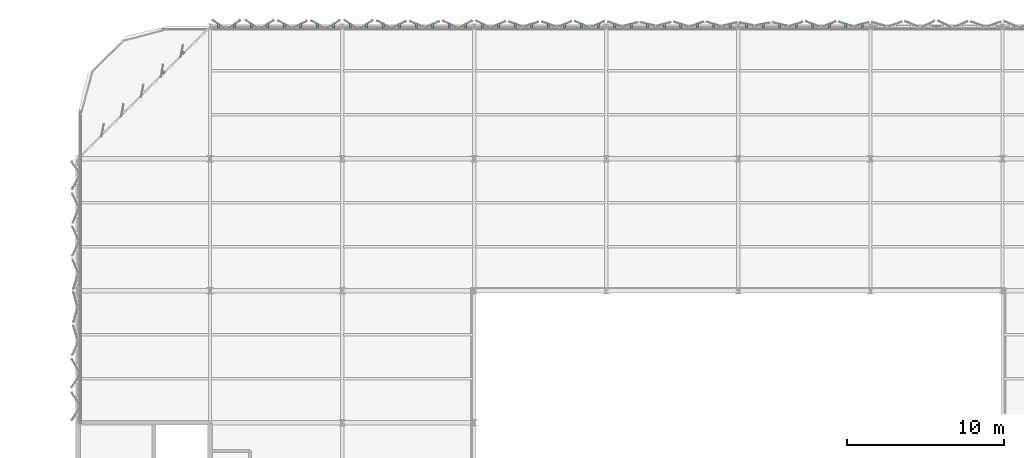
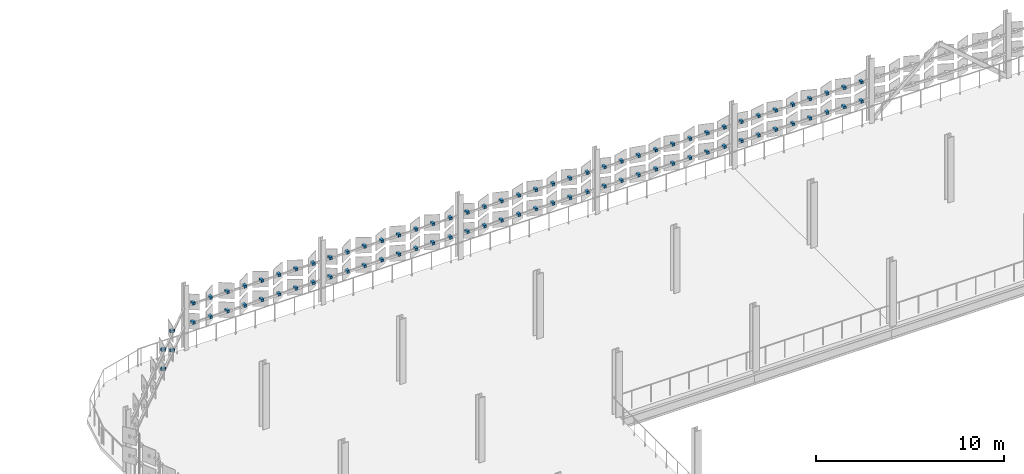
# One storey, part 149 of 163: 84 discrete accessories.
"""IFC4 building model written with IfcOpenShell, lengths in metres."""

import ifcopenshell
import ifcopenshell.guid

model = None  # the IFC model being written
_history = None  # IfcOwnerHistory: only IFC2X3 demands one
_inside = {}  # id of a spatial element -> (the spatial element, [elements in it])
_under = {}  # id of a project, library or spatial element -> (it, [spatial elements below it])
_declared = {}  # id of a project -> (the project, [libraries it declares])
_typed = {}  # id of a type object -> (the type object, [elements of that type])
_made_of = {}  # id of a material, layer set ... -> (it, [elements and type objects made of it])


def new_model(schema):
    """Start an empty IFC model of exactly this schema.

    Asked for "IFC4X3", IfcOpenShell would pick the latest addendum, in which some entities
    have other attributes; the version numbers below select the first issue.
    IFC2X3 requires an IfcOwnerHistory on every rooted entity: one is made here for all.
    """
    global model, _history
    if schema == "IFC4X3":
        model = ifcopenshell.file(schema_version=(4, 3, 0, 0))
    else:
        model = ifcopenshell.file(schema=schema)
    _inside.clear()
    _under.clear()
    _declared.clear()
    _typed.clear()
    _made_of.clear()
    _history = None
    if model.schema == "IFC2X3":
        org = make("IfcOrganization", Name="unknown")
        user = make(
            "IfcPersonAndOrganization",
            ThePerson=make("IfcPerson", FamilyName="unknown"),
            TheOrganization=org,
        )
        app = make(
            "IfcApplication",
            ApplicationDeveloper=org,
            Version="unknown",
            ApplicationFullName="unknown",
            ApplicationIdentifier="unknown",
        )
        _history = make(
            "IfcOwnerHistory",
            OwningUser=user,
            OwningApplication=app,
            ChangeAction="ADDED",
            CreationDate=0,
        )
    return model


def make(cls, **values):
    """One entity of the class cls with the attributes given. An attribute that is None is left unset."""
    return model.create_entity(
        cls, **{name: value for name, value in values.items() if value is not None}
    )


def rooted(cls, **values):
    """An entity with a GlobalId (a new one), such as an element, a storey or a relation."""
    return make(cls, GlobalId=ifcopenshell.guid.new(), OwnerHistory=_history, **values)


def si_unit(unit_type, name, prefix=None):
    """IfcSIUnit, for example si_unit("LENGTHUNIT", "METRE", prefix="MILLI")."""
    return make("IfcSIUnit", UnitType=unit_type, Prefix=prefix, Name=name)


def assignment(units):
    """IfcUnitAssignment: the units of a project."""
    return None if units is None else make("IfcUnitAssignment", Units=units)


def point(xyz):
    """IfcCartesianPoint."""
    return None if xyz is None else make("IfcCartesianPoint", Coordinates=xyz)


def direction(xyz):
    """IfcDirection."""
    return None if xyz is None else make("IfcDirection", DirectionRatios=xyz)


def frame(location, z_axis=None, x_axis=None):
    """IfcAxis2Placement3D, a coordinate frame: its origin and axes. An axis left out is left unset."""
    return make(
        "IfcAxis2Placement3D",
        Location=point(location),
        Axis=direction(z_axis),
        RefDirection=direction(x_axis),
    )


def frame_2d(location, x_axis=None):
    """IfcAxis2Placement2D, a coordinate frame in the plane: its origin and x axis."""
    return make(
        "IfcAxis2Placement2D", Location=point(location), RefDirection=direction(x_axis)
    )


def origin():
    """The frame at (0, 0, 0) with its axes left unset."""
    return frame((0.0, 0.0, 0.0))


def origin_2d():
    """The frame at (0, 0) in the plane with its x axis left unset."""
    return frame_2d((0.0, 0.0))


def place(relative_to, where):
    """IfcLocalPlacement: puts the frame where relative to a parent placement (None: the world)."""
    return make(
        "IfcLocalPlacement", PlacementRelTo=relative_to, RelativePlacement=where
    )


def context(
    kind, dimensions, precision=None, world=None, true_north=None, identifier=None
):
    """IfcGeometricRepresentationContext, for example the 3D "Model" context."""
    return make(
        "IfcGeometricRepresentationContext",
        ContextIdentifier=identifier,
        ContextType=kind,
        CoordinateSpaceDimension=dimensions,
        Precision=precision,
        WorldCoordinateSystem=world,
        TrueNorth=true_north,
    )


def subcontext(parent, identifier, kind, view, scale=None):
    """IfcGeometricRepresentationSubContext, for example "Body" below "Model"."""
    return make(
        "IfcGeometricRepresentationSubContext",
        ContextIdentifier=identifier,
        ContextType=kind,
        ParentContext=parent,
        TargetScale=scale,
        TargetView=view,
    )


def project(units=None, contexts=None):
    """IfcProject with its units and contexts."""
    return rooted(
        "IfcProject",
        Name="project",
        RepresentationContexts=contexts,
        UnitsInContext=assignment(units),
    )


def spatial(cls, under=None, at=None, **own):
    """A site, building, storey or space (cls), placed at a placement, below another one or the project."""
    s = rooted(cls, ObjectPlacement=at, **own)
    if under is not None:
        _under.setdefault(under.id(), (under, []))[1].append(s)
    return s


def profile(cls, at=None, kind="AREA", **sizes):
    """A parametric profile (cls). Its sizes go by their IFC names, for example OverallWidth=200.0."""
    return make(cls, ProfileType=kind, Position=at, **sizes)


def rectangle(**sizes):
    """IfcRectangleProfileDef."""
    return profile("IfcRectangleProfileDef", **sizes)


def extrude(swept, where, along, depth):
    """IfcExtrudedAreaSolid: the profile swept, set in the frame where, extruded along a direction by depth."""
    return make(
        "IfcExtrudedAreaSolid",
        SweptArea=swept,
        Position=where,
        ExtrudedDirection=direction(along),
        Depth=depth,
    )


def shape(context_of_items, identifier, shape_type, items):
    """IfcShapeRepresentation: the items that make up one representation, for example the "Body"."""
    return make(
        "IfcShapeRepresentation",
        ContextOfItems=context_of_items,
        RepresentationIdentifier=identifier,
        RepresentationType=shape_type,
        Items=items,
    )


def material(Name=None, Category=None):
    """IfcMaterial."""
    return make("IfcMaterial", Name=Name, Category=Category)


def made_of(thing, what):
    """Note that an element or type object is made of a material, layer set ...; save() writes the relation."""
    if what is not None:
        _made_of.setdefault(what.id(), (what, []))[1].append(thing)
    return thing


def type_object(cls, material=None, **own):
    """A type object (cls), such as IfcWallType, which elements share."""
    return made_of(rooted(cls, **own), material)


def element(
    cls,
    number,
    at=None,
    inside=None,
    cuts=None,
    type_object=None,
    material=None,
    context=None,
    identifier="Body",
    shape_type=None,
    held_by="IfcProductDefinitionShape",
    body=None,
    shapes=None,
    **own,
):
    """One element of the class cls, such as IfcWall. Its Tag is "e" and its number.

    at: its placement. inside: the storey or other place that contains it. cuts: it is an
    opening in that element (IfcRelVoidsElement). A single representation is given by context,
    identifier, shape_type and body (its items); several are given by shapes. held_by: the class
    of the entity that holds the representations. save() writes the other relations.
    """
    e = rooted(cls, Tag="e%d" % number, ObjectPlacement=at, **own)
    if body is not None:
        shapes = [shape(context, identifier, shape_type, body)]
    if shapes is not None:
        e.Representation = make(held_by, Representations=shapes)
    if inside is not None:
        _inside.setdefault(inside.id(), (inside, []))[1].append(e)
    if cuts is not None:
        rooted(
            "IfcRelVoidsElement", RelatingBuildingElement=cuts, RelatedOpeningElement=e
        )
    if type_object is not None:
        _typed.setdefault(type_object.id(), (type_object, []))[1].append(e)
    return made_of(e, material)


def aggregate(whole, parts):
    """IfcRelAggregates: a whole, such as a stair, and the parts it consists of."""
    return rooted("IfcRelAggregates", RelatingObject=whole, RelatedObjects=parts)


def save(model, path):
    """Write the relations noted so far, then the file.

    IfcRelAggregates (storeys below a building ...), IfcRelContainedInSpatialStructure (elements
    in a storey), IfcRelDefinesByType, IfcRelAssociatesMaterial and IfcRelDeclares: one each for
    every whole, place, type object, material and project.
    """
    for whole, parts in _under.values():
        aggregate(whole, parts)
    for where, things in _inside.values():
        rooted(
            "IfcRelContainedInSpatialStructure",
            RelatedElements=things,
            RelatingStructure=where,
        )
    for kind, things in _typed.values():
        rooted("IfcRelDefinesByType", RelatedObjects=things, RelatingType=kind)
    for what, things in _made_of.values():
        rooted("IfcRelAssociatesMaterial", RelatedObjects=things, RelatingMaterial=what)
    for by, libraries in _declared.values():
        rooted("IfcRelDeclares", RelatingContext=by, RelatedDefinitions=libraries)
    model.write(path)


model = new_model("IFC4")

# Units and contexts
model_context = context("Model", 3, precision=1e-05, world=origin(), true_north=direction((0.0, 1.0)))
body_context = subcontext(model_context, "Body", "Model", "MODEL_VIEW")
ifc_project = project(units=[si_unit("LENGTHUNIT", "METRE"), si_unit("AREAUNIT", "SQUARE_METRE"), si_unit("VOLUMEUNIT", "CUBIC_METRE"), si_unit("PLANEANGLEUNIT", "RADIAN"), si_unit("MASSUNIT", "GRAM", prefix="KILO")], contexts=[model_context])

# Site, building, storey
site_placement = place(None, origin())
site = spatial("IfcSite", under=ifc_project, at=site_placement, CompositionType="ELEMENT")
building_placement = place(site_placement, origin())
building = spatial("IfcBuilding", under=site, at=building_placement, Name="Qalvenar Corner Mobility Hub", CompositionType="ELEMENT")
storey_placement = place(building_placement, frame((0.0, 0.0, 4.800048828125)))
storey = spatial("IfcBuildingStorey", under=building, at=storey_placement, Name="L01", CompositionType="ELEMENT", Elevation=4.800048828125)

# Discrete accessories
ifc_material = material(Name="Steel S355", Category="steel")
discrete_accessory_type = type_object("IfcDiscreteAccessoryType", Name="ACC-HINGE-BRK", PredefinedType="BRACKET", material=ifc_material)
for number, where, z_axis, x_axis, name in (
    (1, (108.675048828125, 117.679931640625, 1.419921875), (0.0, 0.0, 1.0), (-1.0, 0.0, 0.0), "Panel Hinge Bracket BK-L01-0177"),
    (2, (108.675048828125, 117.679931640625, 2.669921875), (0.0, 0.0, 1.0), (-1.0, 0.0, 0.0), "Panel Hinge Bracket BK-L01-0178"),
    (3, (107.625, 117.679931640625, 1.419921875), (0.0, 0.0, 1.0), (-1.0, 0.0, 0.0), "Panel Hinge Bracket BK-L01-0179"),
    (4, (107.625, 117.679931640625, 2.669921875), (0.0, 0.0, 1.0), (-1.0, 0.0, 0.0), "Panel Hinge Bracket BK-L01-0180"),
    (5, (106.574951171875, 117.679931640625, 1.419921875), (0.0, 0.0, 1.0), (-1.0, 0.0, 0.0), "Panel Hinge Bracket BK-L01-0181"),
    (6, (106.574951171875, 117.679931640625, 2.669921875), (0.0, 0.0, 1.0), (-1.0, 0.0, 0.0), "Panel Hinge Bracket BK-L01-0182"),
    (7, (105.52490234375, 117.679931640625, 1.419921875), (0.0, 0.0, 1.0), (-1.0, 0.0, 0.0), "Panel Hinge Bracket BK-L01-0183"),
    (8, (105.52490234375, 117.679931640625, 2.669921875), (0.0, 0.0, 1.0), (-1.0, 0.0, 0.0), "Panel Hinge Bracket BK-L01-0184"),
    (9, (104.47509765625, 117.679931640625, 1.419921875), (0.0, 0.0, 1.0), (-1.0, 0.0, 0.0), "Panel Hinge Bracket BK-L01-0185"),
    (10, (104.47509765625, 117.679931640625, 2.669921875), (0.0, 0.0, 1.0), (-1.0, 0.0, 0.0), "Panel Hinge Bracket BK-L01-0186"),
    (11, (103.425048828125, 117.679931640625, 1.419921875), (0.0, 0.0, 1.0), (-1.0, 0.0, 0.0), "Panel Hinge Bracket BK-L01-0187"),
    (12, (103.425048828125, 117.679931640625, 2.669921875), (0.0, 0.0, 1.0), (-1.0, 0.0, 0.0), "Panel Hinge Bracket BK-L01-0188"),
    (13, (102.375, 117.679931640625, 1.419921875), (0.0, 0.0, 1.0), (-1.0, 0.0, 0.0), "Panel Hinge Bracket BK-L01-0189"),
    (14, (102.375, 117.679931640625, 2.669921875), (0.0, 0.0, 1.0), (-1.0, 0.0, 0.0), "Panel Hinge Bracket BK-L01-0190"),
    (15, (101.324951171875, 117.679931640625, 1.419921875), (0.0, 0.0, 1.0), (-1.0, 0.0, 0.0), "Panel Hinge Bracket BK-L01-0191"),
    (16, (101.324951171875, 117.679931640625, 2.669921875), (0.0, 0.0, 1.0), (-1.0, 0.0, 0.0), "Panel Hinge Bracket BK-L01-0192"),
    (17, (100.27490234375, 117.679931640625, 1.419921875), (0.0, 0.0, 1.0), (-1.0, 0.0, 0.0), "Panel Hinge Bracket BK-L01-0193"),
    (18, (100.27490234375, 117.679931640625, 2.669921875), (0.0, 0.0, 1.0), (-1.0, 0.0, 0.0), "Panel Hinge Bracket BK-L01-0194"),
    (19, (99.22509765625, 117.679931640625, 1.419921875), (0.0, 0.0, 1.0), (-1.0, 0.0, 0.0), "Panel Hinge Bracket BK-L01-0195"),
    (20, (99.22509765625, 117.679931640625, 2.669921875), (0.0, 0.0, 1.0), (-1.0, 0.0, 0.0), "Panel Hinge Bracket BK-L01-0196"),
    (21, (98.175048828125, 117.679931640625, 1.419921875), (0.0, 0.0, 1.0), (-1.0, 0.0, 0.0), "Panel Hinge Bracket BK-L01-0197"),
    (22, (98.175048828125, 117.679931640625, 2.669921875), (0.0, 0.0, 1.0), (-1.0, 0.0, 0.0), "Panel Hinge Bracket BK-L01-0198"),
    (23, (97.125, 117.679931640625, 1.419921875), (0.0, 0.0, 1.0), (-1.0, 0.0, 0.0), "Panel Hinge Bracket BK-L01-0199"),
    (24, (97.125, 117.679931640625, 2.669921875), (0.0, 0.0, 1.0), (-1.0, 0.0, 0.0), "Panel Hinge Bracket BK-L01-0200"),
    (25, (96.074951171875, 117.679931640625, 1.419921875), (0.0, 0.0, 1.0), (-1.0, 0.0, 0.0), "Panel Hinge Bracket BK-L01-0201"),
    (26, (96.074951171875, 117.679931640625, 2.669921875), (0.0, 0.0, 1.0), (-1.0, 0.0, 0.0), "Panel Hinge Bracket BK-L01-0202"),
    (27, (95.02490234375, 117.679931640625, 1.419921875), (0.0, 0.0, 1.0), (-1.0, 0.0, 0.0), "Panel Hinge Bracket BK-L01-0203"),
    (28, (95.02490234375, 117.679931640625, 2.669921875), (0.0, 0.0, 1.0), (-1.0, 0.0, 0.0), "Panel Hinge Bracket BK-L01-0204"),
    (29, (93.97509765625, 117.679931640625, 1.419921875), (0.0, 0.0, 1.0), (-1.0, 0.0, 0.0), "Panel Hinge Bracket BK-L01-0205"),
    (30, (93.97509765625, 117.679931640625, 2.669921875), (0.0, 0.0, 1.0), (-1.0, 0.0, 0.0), "Panel Hinge Bracket BK-L01-0206"),
    (31, (92.925048828125, 117.679931640625, 1.419921875), (0.0, 0.0, 1.0), (-1.0, 0.0, 0.0), "Panel Hinge Bracket BK-L01-0207"),
    (32, (92.925048828125, 117.679931640625, 2.669921875), (0.0, 0.0, 1.0), (-1.0, 0.0, 0.0), "Panel Hinge Bracket BK-L01-0208"),
    (33, (91.875, 117.679931640625, 1.419921875), (0.0, 0.0, 1.0), (-1.0, 0.0, 0.0), "Panel Hinge Bracket BK-L01-0209"),
    (34, (91.875, 117.679931640625, 2.669921875), (0.0, 0.0, 1.0), (-1.0, 0.0, 0.0), "Panel Hinge Bracket BK-L01-0210"),
    (35, (90.824951171875, 117.679931640625, 1.419921875), (0.0, 0.0, 1.0), (-1.0, 0.0, 0.0), "Panel Hinge Bracket BK-L01-0211"),
    (36, (90.824951171875, 117.679931640625, 2.669921875), (0.0, 0.0, 1.0), (-1.0, 0.0, 0.0), "Panel Hinge Bracket BK-L01-0212"),
    (37, (89.77490234375, 117.679931640625, 1.419921875), (0.0, 0.0, 1.0), (-1.0, 0.0, 0.0), "Panel Hinge Bracket BK-L01-0213"),
    (38, (89.77490234375, 117.679931640625, 2.669921875), (0.0, 0.0, 1.0), (-1.0, 0.0, 0.0), "Panel Hinge Bracket BK-L01-0214"),
    (39, (88.72509765625, 117.679931640625, 1.419921875), (0.0, 0.0, 1.0), (-1.0, 0.0, 0.0), "Panel Hinge Bracket BK-L01-0215"),
    (40, (88.72509765625, 117.679931640625, 2.669921875), (0.0, 0.0, 1.0), (-1.0, 0.0, 0.0), "Panel Hinge Bracket BK-L01-0216"),
    (41, (87.675048828125, 117.679931640625, 1.419921875), (0.0, 0.0, 1.0), (-1.0, 0.0, 0.0), "Panel Hinge Bracket BK-L01-0217"),
    (42, (87.675048828125, 117.679931640625, 2.669921875), (0.0, 0.0, 1.0), (-1.0, 0.0, 0.0), "Panel Hinge Bracket BK-L01-0218"),
    (43, (86.625, 117.679931640625, 1.419921875), (0.0, 0.0, 1.0), (-1.0, 0.0, 0.0), "Panel Hinge Bracket BK-L01-0219"),
    (44, (86.625, 117.679931640625, 2.669921875), (0.0, 0.0, 1.0), (-1.0, 0.0, 0.0), "Panel Hinge Bracket BK-L01-0220"),
    (45, (85.574951171875, 117.679931640625, 1.419921875), (0.0, 0.0, 1.0), (-1.0, 0.0, 0.0), "Panel Hinge Bracket BK-L01-0221"),
    (46, (85.574951171875, 117.679931640625, 2.669921875), (0.0, 0.0, 1.0), (-1.0, 0.0, 0.0), "Panel Hinge Bracket BK-L01-0222"),
    (47, (84.52490234375, 117.679931640625, 1.419921875), (0.0, 0.0, 1.0), (-1.0, 0.0, 0.0), "Panel Hinge Bracket BK-L01-0223"),
    (48, (84.52490234375, 117.679931640625, 2.669921875), (0.0, 0.0, 1.0), (-1.0, 0.0, 0.0), "Panel Hinge Bracket BK-L01-0224"),
    (49, (83.47509765625, 117.679931640625, 1.419921875), (0.0, 0.0, 1.0), (-1.0, 0.0, 0.0), "Panel Hinge Bracket BK-L01-0225"),
    (50, (83.47509765625, 117.679931640625, 2.669921875), (0.0, 0.0, 1.0), (-1.0, 0.0, 0.0), "Panel Hinge Bracket BK-L01-0226"),
    (51, (82.425048828125, 117.679931640625, 1.419921875), (0.0, 0.0, 1.0), (-1.0, 0.0, 0.0), "Panel Hinge Bracket BK-L01-0227"),
    (52, (82.425048828125, 117.679931640625, 2.669921875), (0.0, 0.0, 1.0), (-1.0, 0.0, 0.0), "Panel Hinge Bracket BK-L01-0228"),
    (53, (81.375, 117.679931640625, 1.419921875), (0.0, 0.0, 1.0), (-1.0, 0.0, 0.0), "Panel Hinge Bracket BK-L01-0229"),
    (54, (81.375, 117.679931640625, 2.669921875), (0.0, 0.0, 1.0), (-1.0, 0.0, 0.0), "Panel Hinge Bracket BK-L01-0230"),
    (55, (80.324951171875, 117.679931640625, 1.419921875), (0.0, 0.0, 1.0), (-1.0, 0.0, 0.0), "Panel Hinge Bracket BK-L01-0231"),
    (56, (80.324951171875, 117.679931640625, 2.669921875), (0.0, 0.0, 1.0), (-1.0, 0.0, 0.0), "Panel Hinge Bracket BK-L01-0232"),
    (57, (79.27490234375, 117.679931640625, 1.419921875), (0.0, 0.0, 1.0), (-1.0, 0.0, 0.0), "Panel Hinge Bracket BK-L01-0233"),
    (58, (79.27490234375, 117.679931640625, 2.669921875), (0.0, 0.0, 1.0), (-1.0, 0.0, 0.0), "Panel Hinge Bracket BK-L01-0234"),
    (59, (78.22509765625, 117.679931640625, 1.419921875), (0.0, 0.0, 1.0), (-1.0, 0.0, 0.0), "Panel Hinge Bracket BK-L01-0235"),
    (60, (78.22509765625, 117.679931640625, 2.669921875), (0.0, 0.0, 1.0), (-1.0, 0.0, 0.0), "Panel Hinge Bracket BK-L01-0236"),
    (61, (77.175048828125, 117.679931640625, 1.419921875), (0.0, 0.0, 1.0), (-1.0, 0.0, 0.0), "Panel Hinge Bracket BK-L01-0237"),
    (62, (77.175048828125, 117.679931640625, 2.669921875), (0.0, 0.0, 1.0), (-1.0, 0.0, 0.0), "Panel Hinge Bracket BK-L01-0238"),
    (63, (76.125, 117.679931640625, 1.419921875), (0.0, 0.0, 1.0), (-1.0, 0.0, 0.0), "Panel Hinge Bracket BK-L01-0239"),
    (64, (76.125, 117.679931640625, 2.669921875), (0.0, 0.0, 1.0), (-1.0, 0.0, 0.0), "Panel Hinge Bracket BK-L01-0240"),
    (65, (75.074951171875, 117.679931640625, 1.419921875), (0.0, 0.0, 1.0), (-1.0, 0.0, 0.0), "Panel Hinge Bracket BK-L01-0241"),
    (66, (75.074951171875, 117.679931640625, 2.669921875), (0.0, 0.0, 1.0), (-1.0, 0.0, 0.0), "Panel Hinge Bracket BK-L01-0242"),
    (67, (74.02490234375, 117.679931640625, 1.419921875), (0.0, 0.0, 1.0), (-1.0, 0.0, 0.0), "Panel Hinge Bracket BK-L01-0243"),
    (68, (74.02490234375, 117.679931640625, 2.669921875), (0.0, 0.0, 1.0), (-1.0, 0.0, 0.0), "Panel Hinge Bracket BK-L01-0244"),
    (69, (72.97509765625, 117.679931640625, 1.419921875), (0.0, 0.0, 1.0), (-1.0, 0.0, 0.0), "Panel Hinge Bracket BK-L01-0245"),
    (70, (72.97509765625, 117.679931640625, 2.669921875), (0.0, 0.0, 1.0), (-1.0, 0.0, 0.0), "Panel Hinge Bracket BK-L01-0246"),
    (71, (71.925048828125, 117.679931640625, 1.419921875), (0.0, 0.0, 1.0), (-1.0, 0.0, 0.0), "Panel Hinge Bracket BK-L01-0247"),
    (72, (71.925048828125, 117.679931640625, 2.669921875), (0.0, 0.0, 1.0), (-1.0, 0.0, 0.0), "Panel Hinge Bracket BK-L01-0248"),
    (73, (70.875, 117.679931640625, 1.419921875), (0.0, 0.0, 1.0), (-1.0, 0.0, 0.0), "Panel Hinge Bracket BK-L01-0249"),
    (74, (70.875, 117.679931640625, 2.669921875), (0.0, 0.0, 1.0), (-1.0, 0.0, 0.0), "Panel Hinge Bracket BK-L01-0250"),
    (75, (69.824951171875, 117.679931640625, 1.419921875), (0.0, 0.0, 1.0), (-1.0, 0.0, 0.0), "Panel Hinge Bracket BK-L01-0251"),
    (76, (69.824951171875, 117.679931640625, 2.669921875), (0.0, 0.0, 1.0), (-1.0, 0.0, 0.0), "Panel Hinge Bracket BK-L01-0252"),
    (77, (68.77490234375, 117.679931640625, 1.419921875), (0.0, 0.0, 1.0), (-1.0, 0.0, 0.0), "Panel Hinge Bracket BK-L01-0253"),
    (78, (68.77490234375, 117.679931640625, 2.669921875), (0.0, 0.0, 1.0), (-1.0, 0.0, 0.0), "Panel Hinge Bracket BK-L01-0254"),
    (79, (67.72509765625, 117.679931640625, 1.419921875), (0.0, 0.0, 1.0), (-1.0, 0.0, 0.0), "Panel Hinge Bracket BK-L01-0255"),
    (80, (67.72509765625, 117.679931640625, 2.669921875), (0.0, 0.0, 1.0), (-1.0, 0.0, 0.0), "Panel Hinge Bracket BK-L01-0256"),
    (81, (65.46337890625, 115.9765625, 1.419921875), (0.0, 0.0, 1.0), (-0.707106781187, -0.707106781187, 0.0), "Corner Hinge Bracket BKC-L01-0351"),
    (82, (64.203369140625, 114.716552734375, 1.419921875), (0.0, 0.0, 1.0), (-0.707106781187, -0.707106781187, 0.0), "Corner Hinge Bracket BKC-L01-0352"),
    (83, (65.46337890625, 115.9765625, 2.669921875), (0.0, 0.0, 1.0), (-0.707106781187, -0.707106781187, 0.0), "Corner Hinge Bracket BKC-L01-0356"),
    (84, (64.203369140625, 114.716552734375, 2.669921875), (0.0, 0.0, 1.0), (-0.707106781187, -0.707106781187, 0.0), "Corner Hinge Bracket BKC-L01-0357"),
):
    element("IfcDiscreteAccessory", number, at=place(storey_placement, frame(where, z_axis=z_axis, x_axis=x_axis)), inside=storey, type_object=discrete_accessory_type, Name=name, PredefinedType="BRACKET", context=body_context, shape_type="SweptSolid", body=[
        extrude(rectangle(XDim=0.159912109375, YDim=0.260009765625, at=origin_2d()), origin(), (0.0, 0.0, 1.0), 0.159912109375),
    ])

save(model, "model.ifc")
